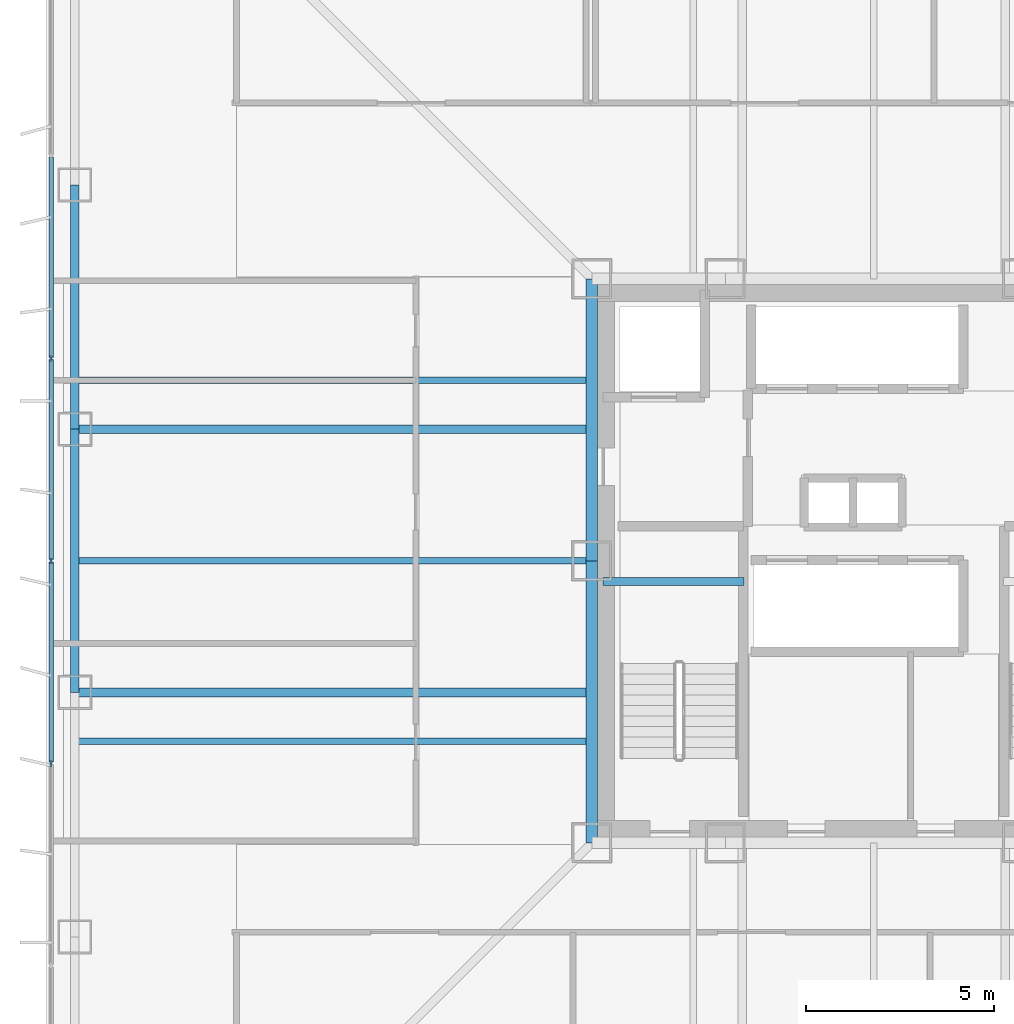
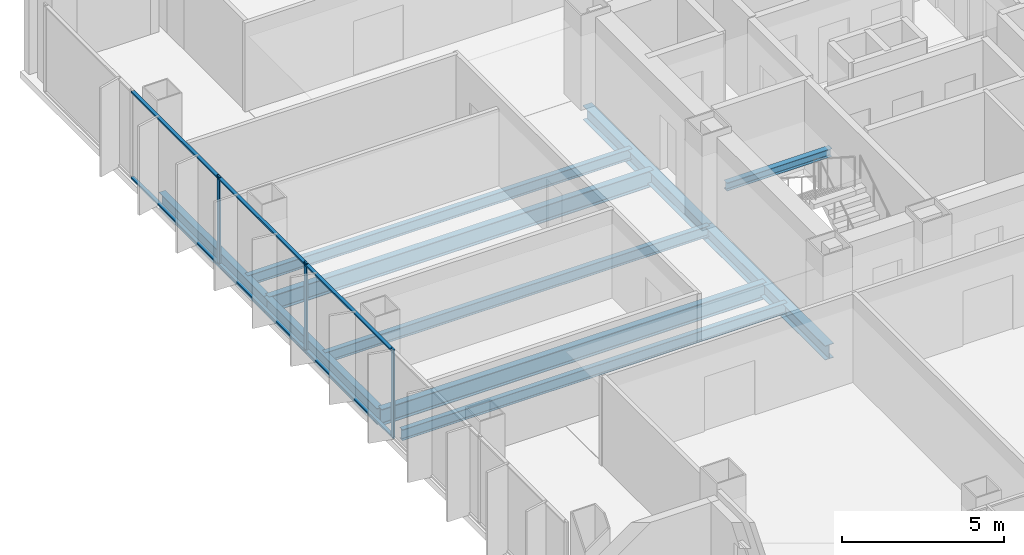
# One storey, part 4 of 14: 10 beams, 9 members, 1 element without a shape of its own.
"""IFC4 building model written with IfcOpenShell, lengths in metres."""

import ifcopenshell
import ifcopenshell.guid

model = None  # the IFC model being written
_history = None  # IfcOwnerHistory: only IFC2X3 demands one
_inside = {}  # id of a spatial element -> (the spatial element, [elements in it])
_under = {}  # id of a project, library or spatial element -> (it, [spatial elements below it])
_declared = {}  # id of a project -> (the project, [libraries it declares])
_typed = {}  # id of a type object -> (the type object, [elements of that type])
_made_of = {}  # id of a material, layer set ... -> (it, [elements and type objects made of it])


def new_model(schema):
    """Start an empty IFC model of exactly this schema.

    Asked for "IFC4X3", IfcOpenShell would pick the latest addendum, in which some entities
    have other attributes; the version numbers below select the first issue.
    IFC2X3 requires an IfcOwnerHistory on every rooted entity: one is made here for all.
    """
    global model, _history
    if schema == "IFC4X3":
        model = ifcopenshell.file(schema_version=(4, 3, 0, 0))
    else:
        model = ifcopenshell.file(schema=schema)
    _inside.clear()
    _under.clear()
    _declared.clear()
    _typed.clear()
    _made_of.clear()
    _history = None
    if model.schema == "IFC2X3":
        org = make("IfcOrganization", Name="unknown")
        user = make(
            "IfcPersonAndOrganization",
            ThePerson=make("IfcPerson", FamilyName="unknown"),
            TheOrganization=org,
        )
        app = make(
            "IfcApplication",
            ApplicationDeveloper=org,
            Version="unknown",
            ApplicationFullName="unknown",
            ApplicationIdentifier="unknown",
        )
        _history = make(
            "IfcOwnerHistory",
            OwningUser=user,
            OwningApplication=app,
            ChangeAction="ADDED",
            CreationDate=0,
        )
    return model


def make(cls, **values):
    """One entity of the class cls with the attributes given. An attribute that is None is left unset."""
    return model.create_entity(
        cls, **{name: value for name, value in values.items() if value is not None}
    )


def rooted(cls, **values):
    """An entity with a GlobalId (a new one), such as an element, a storey or a relation."""
    return make(cls, GlobalId=ifcopenshell.guid.new(), OwnerHistory=_history, **values)


def si_unit(unit_type, name, prefix=None):
    """IfcSIUnit, for example si_unit("LENGTHUNIT", "METRE", prefix="MILLI")."""
    return make("IfcSIUnit", UnitType=unit_type, Prefix=prefix, Name=name)


def assignment(units):
    """IfcUnitAssignment: the units of a project."""
    return None if units is None else make("IfcUnitAssignment", Units=units)


def point(xyz):
    """IfcCartesianPoint."""
    return None if xyz is None else make("IfcCartesianPoint", Coordinates=xyz)


def direction(xyz):
    """IfcDirection."""
    return None if xyz is None else make("IfcDirection", DirectionRatios=xyz)


def frame(location, z_axis=None, x_axis=None):
    """IfcAxis2Placement3D, a coordinate frame: its origin and axes. An axis left out is left unset."""
    return make(
        "IfcAxis2Placement3D",
        Location=point(location),
        Axis=direction(z_axis),
        RefDirection=direction(x_axis),
    )


def frame_2d(location, x_axis=None):
    """IfcAxis2Placement2D, a coordinate frame in the plane: its origin and x axis."""
    return make(
        "IfcAxis2Placement2D", Location=point(location), RefDirection=direction(x_axis)
    )


def origin():
    """The frame at (0, 0, 0) with its axes left unset."""
    return frame((0.0, 0.0, 0.0))


def origin_2d():
    """The frame at (0, 0) in the plane with its x axis left unset."""
    return frame_2d((0.0, 0.0))


def place(relative_to, where):
    """IfcLocalPlacement: puts the frame where relative to a parent placement (None: the world)."""
    return make(
        "IfcLocalPlacement", PlacementRelTo=relative_to, RelativePlacement=where
    )


def context(
    kind, dimensions, precision=None, world=None, true_north=None, identifier=None
):
    """IfcGeometricRepresentationContext, for example the 3D "Model" context."""
    return make(
        "IfcGeometricRepresentationContext",
        ContextIdentifier=identifier,
        ContextType=kind,
        CoordinateSpaceDimension=dimensions,
        Precision=precision,
        WorldCoordinateSystem=world,
        TrueNorth=true_north,
    )


def subcontext(parent, identifier, kind, view, scale=None):
    """IfcGeometricRepresentationSubContext, for example "Body" below "Model"."""
    return make(
        "IfcGeometricRepresentationSubContext",
        ContextIdentifier=identifier,
        ContextType=kind,
        ParentContext=parent,
        TargetScale=scale,
        TargetView=view,
    )


def project(units=None, contexts=None):
    """IfcProject with its units and contexts."""
    return rooted(
        "IfcProject",
        Name="project",
        RepresentationContexts=contexts,
        UnitsInContext=assignment(units),
    )


def spatial(cls, under=None, at=None, **own):
    """A site, building, storey or space (cls), placed at a placement, below another one or the project."""
    s = rooted(cls, ObjectPlacement=at, **own)
    if under is not None:
        _under.setdefault(under.id(), (under, []))[1].append(s)
    return s


def profile(cls, at=None, kind="AREA", **sizes):
    """A parametric profile (cls). Its sizes go by their IFC names, for example OverallWidth=200.0."""
    return make(cls, ProfileType=kind, Position=at, **sizes)


def rectangle(**sizes):
    """IfcRectangleProfileDef."""
    return profile("IfcRectangleProfileDef", **sizes)


def i_section(**sizes):
    """IfcIShapeProfileDef."""
    return profile("IfcIShapeProfileDef", **sizes)


def extrude(swept, where, along, depth):
    """IfcExtrudedAreaSolid: the profile swept, set in the frame where, extruded along a direction by depth."""
    return make(
        "IfcExtrudedAreaSolid",
        SweptArea=swept,
        Position=where,
        ExtrudedDirection=direction(along),
        Depth=depth,
    )


def shape(context_of_items, identifier, shape_type, items):
    """IfcShapeRepresentation: the items that make up one representation, for example the "Body"."""
    return make(
        "IfcShapeRepresentation",
        ContextOfItems=context_of_items,
        RepresentationIdentifier=identifier,
        RepresentationType=shape_type,
        Items=items,
    )


def material(Name=None, Category=None):
    """IfcMaterial."""
    return make("IfcMaterial", Name=Name, Category=Category)


def layer(
    of_material, thickness, ventilated=None, Name=None, Category=None, Priority=None
):
    """IfcMaterialLayer: one layer of a wall or slab, of a material (None: an air gap)."""
    return make(
        "IfcMaterialLayer",
        Material=of_material,
        LayerThickness=thickness,
        IsVentilated=ventilated,
        Name=Name,
        Category=Category,
        Priority=Priority,
    )


def layer_set(layers, Name=None):
    """IfcMaterialLayerSet."""
    return make("IfcMaterialLayerSet", MaterialLayers=layers, LayerSetName=Name)


def material_profile(
    of_material, cross_section, Name=None, Category=None, Priority=None
):
    """IfcMaterialProfile: a cross section and its material."""
    return make(
        "IfcMaterialProfile",
        Name=Name,
        Material=of_material,
        Profile=cross_section,
        Priority=Priority,
        Category=Category,
    )


def profile_set(profiles, Name=None, composite=None):
    """IfcMaterialProfileSet."""
    return make(
        "IfcMaterialProfileSet",
        Name=Name,
        MaterialProfiles=profiles,
        CompositeProfile=composite,
    )


def made_of(thing, what):
    """Note that an element or type object is made of a material, layer set ...; save() writes the relation."""
    if what is not None:
        _made_of.setdefault(what.id(), (what, []))[1].append(thing)
    return thing


def type_object(cls, material=None, **own):
    """A type object (cls), such as IfcWallType, which elements share."""
    return made_of(rooted(cls, **own), material)


def element(
    cls,
    number,
    at=None,
    inside=None,
    cuts=None,
    type_object=None,
    material=None,
    context=None,
    identifier="Body",
    shape_type=None,
    held_by="IfcProductDefinitionShape",
    body=None,
    shapes=None,
    **own,
):
    """One element of the class cls, such as IfcWall. Its Tag is "e" and its number.

    at: its placement. inside: the storey or other place that contains it. cuts: it is an
    opening in that element (IfcRelVoidsElement). A single representation is given by context,
    identifier, shape_type and body (its items); several are given by shapes. held_by: the class
    of the entity that holds the representations. save() writes the other relations.
    """
    e = rooted(cls, Tag="e%d" % number, ObjectPlacement=at, **own)
    if body is not None:
        shapes = [shape(context, identifier, shape_type, body)]
    if shapes is not None:
        e.Representation = make(held_by, Representations=shapes)
    if inside is not None:
        _inside.setdefault(inside.id(), (inside, []))[1].append(e)
    if cuts is not None:
        rooted(
            "IfcRelVoidsElement", RelatingBuildingElement=cuts, RelatedOpeningElement=e
        )
    if type_object is not None:
        _typed.setdefault(type_object.id(), (type_object, []))[1].append(e)
    return made_of(e, material)


def aggregate(whole, parts):
    """IfcRelAggregates: a whole, such as a stair, and the parts it consists of."""
    return rooted("IfcRelAggregates", RelatingObject=whole, RelatedObjects=parts)


def save(model, path):
    """Write the relations noted so far, then the file.

    IfcRelAggregates (storeys below a building ...), IfcRelContainedInSpatialStructure (elements
    in a storey), IfcRelDefinesByType, IfcRelAssociatesMaterial and IfcRelDeclares: one each for
    every whole, place, type object, material and project.
    """
    for whole, parts in _under.values():
        aggregate(whole, parts)
    for where, things in _inside.values():
        rooted(
            "IfcRelContainedInSpatialStructure",
            RelatedElements=things,
            RelatingStructure=where,
        )
    for kind, things in _typed.values():
        rooted("IfcRelDefinesByType", RelatedObjects=things, RelatingType=kind)
    for what, things in _made_of.values():
        rooted("IfcRelAssociatesMaterial", RelatedObjects=things, RelatingMaterial=what)
    for by, libraries in _declared.values():
        rooted("IfcRelDeclares", RelatingContext=by, RelatedDefinitions=libraries)
    model.write(path)


model = new_model("IFC4")

# Units and contexts
model_context = context("Model", 3, precision=1e-05, world=origin(), true_north=direction((0.0, 1.0)))
body_context = subcontext(model_context, "Body", "Model", "MODEL_VIEW")
ifc_project = project(units=[si_unit("LENGTHUNIT", "METRE"), si_unit("AREAUNIT", "SQUARE_METRE"), si_unit("VOLUMEUNIT", "CUBIC_METRE"), si_unit("PLANEANGLEUNIT", "RADIAN"), si_unit("MASSUNIT", "GRAM", prefix="KILO")], contexts=[model_context])

# Site, building, storey
site_placement = place(None, origin())
site = spatial("IfcSite", under=ifc_project, at=site_placement, CompositionType="ELEMENT")
building_placement = place(site_placement, origin())
building = spatial("IfcBuilding", under=site, at=building_placement, Name="Trevonay Congress Spire", CompositionType="ELEMENT")
storey_placement = place(building_placement, frame((0.0, 0.0, 137.199951171875)))
storey = spatial("IfcBuildingStorey", under=building, at=storey_placement, Name="L35", CompositionType="ELEMENT", Elevation=137.199951171875)

# Beams
ifc_material_1 = material(Name="Steel ASTM A572 Grade 50", Category="steel")
ifc_material_profile_1 = material_profile(ifc_material_1, i_section(OverallWidth=0.31201171875, OverallDepth=0.54296875, WebThickness=0.0126953125, FlangeThickness=0.020263671875, FilletRadius=0.014892578125, at=origin_2d()), Name="W530x150")
ifc_profile_set_1 = profile_set([ifc_material_profile_1], Name="Steel ASTM A572 Grade 50")
beam_type_1 = type_object("IfcBeamType", Name="BM-GIRD-W530X150", PredefinedType="BEAM", material=ifc_profile_set_1)
for number, where, z_axis, x_axis, name in (
    (1, (-7.5, -7.5, -0.511474609375), (0.0, 1.0, 0.0), (-1.0, 0.0, 0.0), "L35 structural beam BM-L35-CR-W1"),
    (2, (-7.5, 0.0, -0.511474609375), (0.0, 1.0, 0.0), (-1.0, 0.0, 0.0), "L35 structural beam BM-L35-CR-W2"),
):
    element("IfcBeam", number, at=place(storey_placement, frame(where, z_axis=z_axis, x_axis=x_axis)), inside=storey, type_object=beam_type_1, Name=name, PredefinedType="BEAM", context=body_context, shape_type="SweptSolid", body=[
        extrude(i_section(OverallWidth=0.31201171875, OverallDepth=0.54296875, WebThickness=0.0126953125, FlangeThickness=0.020263671875, FilletRadius=0.014892578125, at=origin_2d()), origin(), (0.0, 0.0, 1.0), 7.5),
    ])
ifc_material_profile_2 = material_profile(ifc_material_1, i_section(OverallWidth=0.22998046875, OverallDepth=0.616943359375, WebThickness=0.01318359375, FlangeThickness=0.022216796875, FilletRadius=0.01611328125, at=origin_2d()), Name="W610x140")
ifc_profile_set_2 = profile_set([ifc_material_profile_2], Name="Steel ASTM A572 Grade 50")
beam_type_2 = type_object("IfcBeamType", Name="BM-GIRD-W610X140", PredefinedType="BEAM", material=ifc_profile_set_2)
for number, where, z_axis, x_axis, name in (
    (3, (-7.5, -3.5, -0.54833984375), (-1.0, 0.0, 0.0), (0.0, -1.0, 0.0), "L35 structural beam BM-L35-GW-M"),
    (4, (-7.5, 3.5, -0.54833984375), (-1.0, 0.0, 0.0), (0.0, -1.0, 0.0), "L35 structural beam BM-L35-GW-P"),
):
    element("IfcBeam", number, at=place(storey_placement, frame(where, z_axis=z_axis, x_axis=x_axis)), inside=storey, type_object=beam_type_2, Name=name, PredefinedType="BEAM", context=body_context, shape_type="SweptSolid", body=[
        extrude(i_section(OverallWidth=0.22998046875, OverallDepth=0.616943359375, WebThickness=0.01318359375, FlangeThickness=0.022216796875, FilletRadius=0.01611328125, at=origin_2d()), origin(), (0.0, 0.0, 1.0), 13.75),
    ])
ifc_material_profile_3 = material_profile(ifc_material_1, i_section(OverallWidth=0.22802734375, OverallDepth=0.60791015625, WebThickness=0.01123046875, FlangeThickness=0.017333984375, FilletRadius=0.01611328125, at=origin_2d()), Name="W610x113")
ifc_profile_set_3 = profile_set([ifc_material_profile_3], Name="Steel ASTM A572 Grade 50")
beam_type_3 = type_object("IfcBeamType", Name="BM-RING-W610X113", PredefinedType="BEAM", material=ifc_profile_set_3)
beam_1_placement = place(storey_placement, frame((-21.25, -3.5, -0.5439453125), z_axis=(0.0, 1.0, 0.0), x_axis=(-1.0, 0.0, 0.0)))
element("IfcBeam", 5, at=beam_1_placement, inside=storey, type_object=beam_type_3, Name="L35 structural beam BM-L35-PW3", PredefinedType="BEAM", context=body_context, shape_type="SweptSolid", body=[
    extrude(i_section(OverallWidth=0.22802734375, OverallDepth=0.60791015625, WebThickness=0.01123046875, FlangeThickness=0.017333984375, FilletRadius=0.01611328125, at=origin_2d()), origin(), (0.0, 0.0, 1.0), 7.0),
])
beam_2_placement = place(storey_placement, frame((-21.25, 3.5, -0.5439453125), z_axis=(0.0, 1.0, 0.0), x_axis=(-1.0, 0.0, 0.0)))
element("IfcBeam", 6, at=beam_2_placement, inside=storey, type_object=beam_type_3, Name="L35 structural beam BM-L35-PW4", PredefinedType="BEAM", context=body_context, shape_type="SweptSolid", body=[
    extrude(i_section(OverallWidth=0.22802734375, OverallDepth=0.60791015625, WebThickness=0.01123046875, FlangeThickness=0.017333984375, FilletRadius=0.01611328125, at=origin_2d()), origin(), (0.0, 0.0, 1.0), 6.5),
])

# Curtain wall, members
ifc_material_2 = material(Name="Pale Anodised Aluminium EN AW-6063-T6", Category="aluminium")
ifc_layer = layer(ifc_material_2, 0.175048828125, Name="Pale Anodised Aluminium EN AW-6063-T6")
ifc_layer_set = layer_set([ifc_layer], Name="Pale Anodised Aluminium EN AW-6063-T6")
curtain_wall_type = type_object("IfcCurtainWallType", Name="CW-SYS03-CONGRESS-PALE-METAL", PredefinedType="NOTDEFINED", material=ifc_layer_set)
curtain_wall_placement = place(storey_placement, origin())
curtain_wall = element("IfcCurtainWall", 7, at=curtain_wall_placement, inside=storey, type_object=curtain_wall_type, Name="L35 W unitised curtain wall", PredefinedType="NOTDEFINED")
ifc_material_profile_4 = material_profile(ifc_material_2, rectangle(XDim=0.06005859375, YDim=0.159912109375, at=origin_2d()), Name="CW-MULLION-160-ALUMINIUM")
ifc_profile_set_4 = profile_set([ifc_material_profile_4], Name="Pale Anodised Aluminium EN AW-6063-T6")
member_type_1 = type_object("IfcMemberType", Name="CW-MULLION-160-ALUMINIUM", PredefinedType="MULLION", material=ifc_profile_set_4)
member_1_placement = place(storey_placement, frame((-21.8798828125, -5.38330078125, 0.0), z_axis=(0.0, 0.0, 1.0), x_axis=(-1.0, 0.0, 0.0)))
member_1 = element("IfcMember", 8, at=member_1_placement, type_object=member_type_1, Name="CW03 mullion 3", PredefinedType="MULLION", context=body_context, shape_type="SweptSolid", body=[
    extrude(rectangle(XDim=0.06005859375, YDim=0.159912109375, at=origin_2d()), origin(), (0.0, 0.0, 1.0), 3.360107421875),
])
member_2_placement = place(storey_placement, frame((-21.8798828125, 0.0, 0.0), z_axis=(0.0, 0.0, 1.0), x_axis=(-1.0, 0.0, 0.0)))
member_2 = element("IfcMember", 9, at=member_2_placement, type_object=member_type_1, Name="CW03 mullion 4", PredefinedType="MULLION", context=body_context, shape_type="SweptSolid", body=[
    extrude(rectangle(XDim=0.06005859375, YDim=0.159912109375, at=origin_2d()), origin(), (0.0, 0.0, 1.0), 3.360107421875),
])
member_3_placement = place(storey_placement, frame((-21.8798828125, 5.38330078125, 0.0), z_axis=(0.0, 0.0, 1.0), x_axis=(-1.0, 0.0, 0.0)))
member_3 = element("IfcMember", 10, at=member_3_placement, type_object=member_type_1, Name="CW03 mullion 5", PredefinedType="MULLION", context=body_context, shape_type="SweptSolid", body=[
    extrude(rectangle(XDim=0.06005859375, YDim=0.159912109375, at=origin_2d()), origin(), (0.0, 0.0, 1.0), 3.360107421875),
])
ifc_material_profile_5 = material_profile(ifc_material_2, rectangle(XDim=0.1201171875, YDim=0.06005859375, at=origin_2d()), Name="CW-TRANSOM-120-ALUMINIUM")
ifc_profile_set_5 = profile_set([ifc_material_profile_5], Name="Pale Anodised Aluminium EN AW-6063-T6")
member_type_2 = type_object("IfcMemberType", Name="CW-TRANSOM-120-ALUMINIUM", PredefinedType="USERDEFINED", material=ifc_profile_set_5)
member_4_placement = place(storey_placement, frame((-21.8798828125, -5.353271484375, 0.06005859375), z_axis=(0.0, 1.0, 0.0), x_axis=(-1.0, 0.0, 0.0)))
member_4 = element("IfcMember", 11, at=member_4_placement, type_object=member_type_2, Name="CW03 transom 3.1", ObjectType="TRANSOM", PredefinedType="USERDEFINED", context=body_context, shape_type="SweptSolid", body=[
    extrude(rectangle(XDim=0.1201171875, YDim=0.06005859375, at=origin_2d()), origin(), (0.0, 0.0, 1.0), 5.3232421875),
])
member_5_placement = place(storey_placement, frame((-21.8798828125, -5.353271484375, 3.300048828125), z_axis=(0.0, 1.0, 0.0), x_axis=(-1.0, 0.0, 0.0)))
member_5 = element("IfcMember", 12, at=member_5_placement, type_object=member_type_2, Name="CW03 transom 3.2", ObjectType="TRANSOM", PredefinedType="USERDEFINED", context=body_context, shape_type="SweptSolid", body=[
    extrude(rectangle(XDim=0.1201171875, YDim=0.06005859375, at=origin_2d()), origin(), (0.0, 0.0, 1.0), 5.3232421875),
])
member_6_placement = place(storey_placement, frame((-21.8798828125, 0.030029296875, 0.06005859375), z_axis=(0.0, 1.0, 0.0), x_axis=(-1.0, 0.0, 0.0)))
member_6 = element("IfcMember", 13, at=member_6_placement, type_object=member_type_2, Name="CW03 transom 4.1", ObjectType="TRANSOM", PredefinedType="USERDEFINED", context=body_context, shape_type="SweptSolid", body=[
    extrude(rectangle(XDim=0.1201171875, YDim=0.06005859375, at=origin_2d()), origin(), (0.0, 0.0, 1.0), 5.3232421875),
])
member_7_placement = place(storey_placement, frame((-21.8798828125, 0.030029296875, 3.300048828125), z_axis=(0.0, 1.0, 0.0), x_axis=(-1.0, 0.0, 0.0)))
member_7 = element("IfcMember", 14, at=member_7_placement, type_object=member_type_2, Name="CW03 transom 4.2", ObjectType="TRANSOM", PredefinedType="USERDEFINED", context=body_context, shape_type="SweptSolid", body=[
    extrude(rectangle(XDim=0.1201171875, YDim=0.06005859375, at=origin_2d()), origin(), (0.0, 0.0, 1.0), 5.3232421875),
])
member_8_placement = place(storey_placement, frame((-21.8798828125, 5.413330078125, 0.06005859375), z_axis=(0.0, 1.0, 0.0), x_axis=(-1.0, 0.0, 0.0)))
member_8 = element("IfcMember", 15, at=member_8_placement, type_object=member_type_2, Name="CW03 transom 5.1", ObjectType="TRANSOM", PredefinedType="USERDEFINED", context=body_context, shape_type="SweptSolid", body=[
    extrude(rectangle(XDim=0.1201171875, YDim=0.06005859375, at=origin_2d()), origin(), (0.0, 0.0, 1.0), 5.3232421875),
])
member_9_placement = place(storey_placement, frame((-21.8798828125, 5.413330078125, 3.300048828125), z_axis=(0.0, 1.0, 0.0), x_axis=(-1.0, 0.0, 0.0)))
member_9 = element("IfcMember", 16, at=member_9_placement, type_object=member_type_2, Name="CW03 transom 5.2", ObjectType="TRANSOM", PredefinedType="USERDEFINED", context=body_context, shape_type="SweptSolid", body=[
    extrude(rectangle(XDim=0.1201171875, YDim=0.06005859375, at=origin_2d()), origin(), (0.0, 0.0, 1.0), 5.3232421875),
])
aggregate(curtain_wall, [member_1, member_2, member_3, member_4, member_5, member_6, member_7, member_8, member_9])

# Beams
ifc_material_profile_6 = material_profile(ifc_material_1, i_section(OverallWidth=0.177978515625, OverallDepth=0.406982421875, WebThickness=0.0078125, FlangeThickness=0.0126953125, FilletRadius=0.012939453125, at=origin_2d()), Name="W410x60")
ifc_profile_set_6 = profile_set([ifc_material_profile_6], Name="Steel ASTM A572 Grade 50")
beam_type_4 = type_object("IfcBeamType", Name="JS-COMP-W410X60", PredefinedType="JOIST", material=ifc_profile_set_6)
for number, where, z_axis, x_axis, name in (
    (17, (-21.25, -4.800048828125, -0.443359375), (1.0, 0.0, 0.0), (0.0, 1.0, 0.0), "L35 structural beam JS-L35-EW-W1"),
    (18, (-21.25, 0.0, -0.443359375), (1.0, 0.0, 0.0), (0.0, 1.0, 0.0), "L35 structural beam JS-L35-EW-W2"),
    (19, (-21.25, 4.800048828125, -0.443359375), (1.0, 0.0, 0.0), (0.0, 1.0, 0.0), "L35 structural beam JS-L35-EW-W3"),
):
    element("IfcBeam", number, at=place(storey_placement, frame(where, z_axis=z_axis, x_axis=x_axis)), inside=storey, type_object=beam_type_4, Name=name, PredefinedType="JOIST", context=body_context, shape_type="SweptSolid", body=[
        extrude(i_section(OverallWidth=0.177978515625, OverallDepth=0.406982421875, WebThickness=0.0078125, FlangeThickness=0.0126953125, FilletRadius=0.012939453125, at=origin_2d()), origin(), (0.0, 0.0, 1.0), 13.75),
    ])
ifc_material_profile_7 = material_profile(ifc_material_1, i_section(OverallWidth=0.2041015625, OverallDepth=0.305908203125, WebThickness=0.008544921875, FlangeThickness=0.0146484375, FilletRadius=0.010986328125, at=origin_2d()), Name="W310x67")
ifc_profile_set_7 = profile_set([ifc_material_profile_7], Name="Steel ASTM A572 Grade 50")
beam_type_5 = type_object("IfcBeamType", Name="LN-CORE-W310X67", PredefinedType="LINTEL", material=ifc_profile_set_7)
beam_3_placement = place(storey_placement, frame((-7.199951171875, -0.550048828125, 1.447021484375), z_axis=(1.0, 0.0, 0.0), x_axis=(0.0, 1.0, 0.0)))
element("IfcBeam", 20, at=beam_3_placement, inside=storey, type_object=beam_type_5, Name="L35 structural beam BM-L35-HL-ST1", PredefinedType="LINTEL", context=body_context, shape_type="SweptSolid", body=[
    extrude(i_section(OverallWidth=0.2041015625, OverallDepth=0.305908203125, WebThickness=0.008544921875, FlangeThickness=0.0146484375, FilletRadius=0.010986328125, at=origin_2d()), origin(), (0.0, 0.0, 1.0), 3.75),
])

save(model, "model.ifc")
